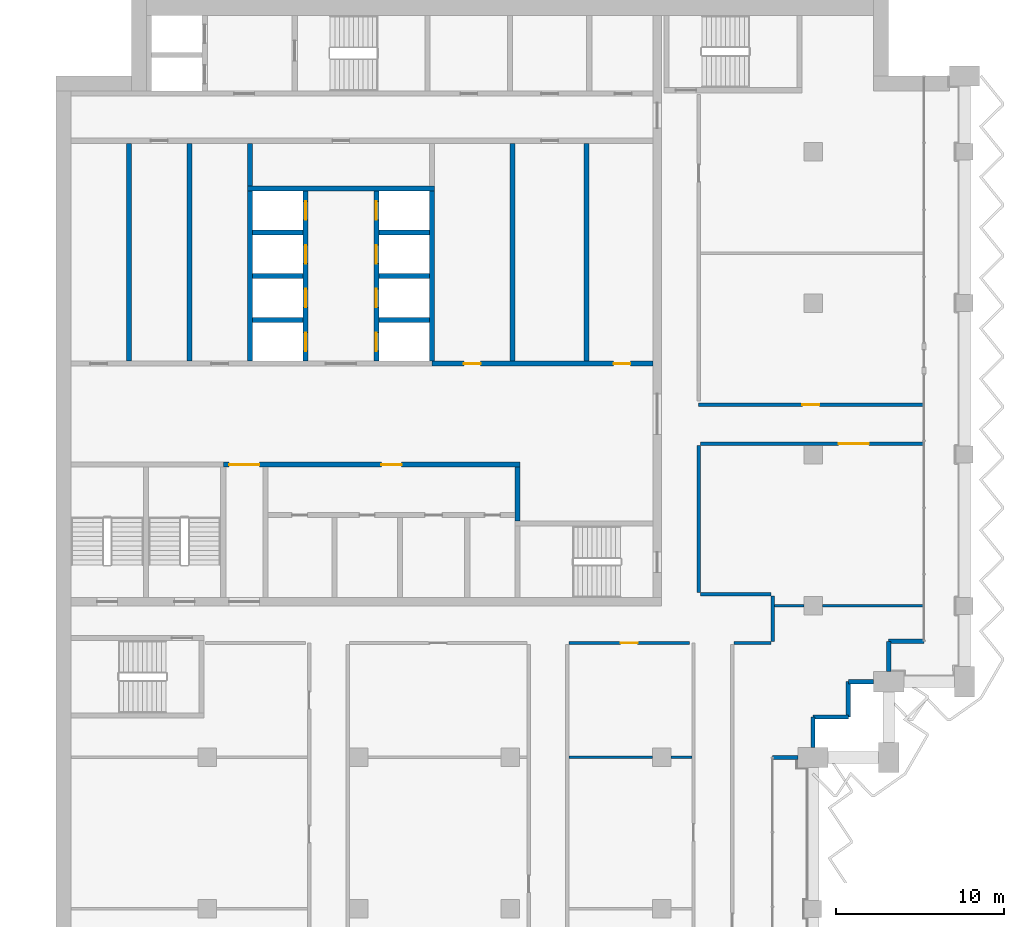
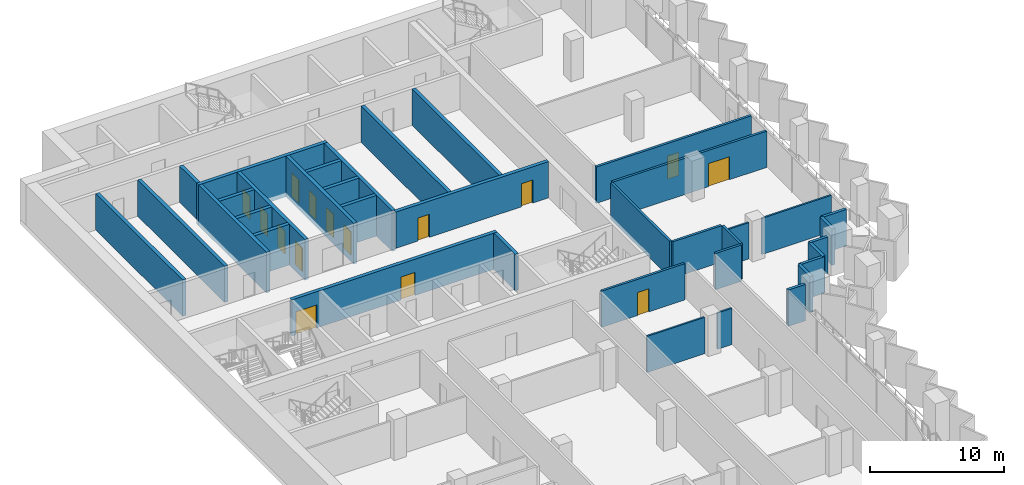
# One storey, part 11 of 19: 37 walls, 15 doors, 15 openings.
"""IFC4 building model written with IfcOpenShell, lengths in metres."""

from ifc_helpers import new_model, si_unit, direction, frame, frame_2d, origin, place, context, subcontext, project, spatial, rectangle, extrude, material, layer, layer_set, type_object, element, fill, save


model = new_model("IFC4")

# Units and contexts
model_context = context("Model", 3, precision=1e-05, world=origin(), true_north=direction((0.0, 1.0)))
body_context = subcontext(model_context, "Body", "Model", "MODEL_VIEW")
ifc_project = project(units=[si_unit("LENGTHUNIT", "METRE"), si_unit("AREAUNIT", "SQUARE_METRE"), si_unit("VOLUMEUNIT", "CUBIC_METRE"), si_unit("PLANEANGLEUNIT", "RADIAN"), si_unit("MASSUNIT", "GRAM", prefix="KILO")], contexts=[model_context])

# Site, building, storey
site_placement = place(None, origin())
site = spatial("IfcSite", under=ifc_project, at=site_placement, CompositionType="ELEMENT")
building_placement = place(site_placement, origin())
building = spatial("IfcBuilding", under=site, at=building_placement, Name="Hunhe Ridgeline Campus", CompositionType="ELEMENT")
storey_placement = place(building_placement, frame((0.0, 0.0, 219.800048828125)))
storey = spatial("IfcBuildingStorey", under=building, at=storey_placement, Name="L56", CompositionType="ELEMENT", Elevation=219.800048828125)

# Wall, openings, doors
ifc_material_1 = material(Name="Masonry concrete blockwork", Category="masonry")
ifc_layer_1 = layer(ifc_material_1, 0.300048828125)
ifc_layer_set_1 = layer_set([ifc_layer_1], Name="Core room partition 300 concrete block")
wall_type_1 = type_object("IfcWallType", Name="Core room partition 300 concrete block", PredefinedType="PARTITIONING", material=ifc_layer_set_1)
wall_1_placement = place(storey_placement, frame((9.949951171875, 71.39990234375, 0.0), z_axis=(0.0, 0.0, 1.0), x_axis=(1.0, 0.0, 0.0)))
wall_1 = element("IfcWall", 1, at=wall_1_placement, inside=storey, type_object=wall_type_1, Name="L56 core partition 11", PredefinedType="PARTITIONING", context=body_context, shape_type="SweptSolid", body=[
    extrude(rectangle(XDim=17.650146484375, YDim=0.300048828125, at=frame_2d((8.8251953125, 0.0))), origin(), (0.0, 0.0, 1.0), 3.300048828125),
])
opening_1_placement = place(wall_1_placement, frame((0.35009765625, 0.0, 0.0)))
opening_1 = element("IfcOpeningElement", 2, at=opening_1_placement, cuts=wall_1, Name="Opening CD7", PredefinedType="OPENING", context=body_context, shape_type="SweptSolid", body=[
    extrude(rectangle(XDim=1.800048828125, YDim=2.10009765625, at=frame_2d((0.89990234375, 1.050048828125))), frame((0.0, 0.14990234375, 0.0), z_axis=(0.0, -1.0, 0.0), x_axis=(1.0, 0.0, 0.0)), (0.0, 0.0, 1.0), 0.300048828125),
])
opening_2_placement = place(wall_1_placement, frame((9.39990234375, 0.0, 0.0)))
opening_2 = element("IfcOpeningElement", 3, at=opening_2_placement, cuts=wall_1, Name="Opening CD12", PredefinedType="OPENING", context=body_context, shape_type="SweptSolid", body=[
    extrude(rectangle(XDim=1.199951171875, YDim=2.10009765625, at=frame_2d((0.60009765625, 1.050048828125))), frame((0.0, 0.14990234375, 0.0), z_axis=(0.0, -1.0, 0.0), x_axis=(1.0, 0.0, 0.0)), (0.0, 0.0, 1.0), 0.300048828125),
])
ifc_material_2 = material(Name="Anodised aluminium and glass", Category="aluminium")
door_type_1 = type_object("IfcDoorType", Name="Glazed double door 1800x2100", OperationType="DOUBLE_DOOR_SINGLE_SWING", PredefinedType="DOOR", material=ifc_material_2)
door_1_placement = place(opening_1_placement, origin())
door_1 = element("IfcDoor", 4, at=door_1_placement, inside=storey, type_object=door_type_1, Name="L56 door VEST-HALL", OperationType="DOUBLE_DOOR_SINGLE_SWING", OverallHeight=2.10009765625, OverallWidth=1.800048828125, PredefinedType="DOOR", context=body_context, shape_type="SweptSolid", body=[
    extrude(rectangle(XDim=1.800048828125, YDim=2.10009765625, at=frame_2d((0.89990234375, 1.050048828125))), frame((0.0, 0.02490234375, 0.0), z_axis=(0.0, -1.0, 0.0), x_axis=(1.0, 0.0, 0.0)), (0.0, 0.0, 1.0), 0.050048828125),
])
fill(opening_1, door_1)
ifc_material_3 = material(Name="Solid core timber door leaf", Category="wood")
door_type_2 = type_object("IfcDoorType", Name="Timber door 1200x2100", OperationType="SINGLE_SWING_LEFT", PredefinedType="DOOR", material=ifc_material_3)
door_2_placement = place(opening_2_placement, origin())
door_2 = element("IfcDoor", 5, at=door_2_placement, inside=storey, type_object=door_type_2, Name="L56 door WCL2-HALL", OperationType="SINGLE_SWING_RIGHT", OverallHeight=2.10009765625, OverallWidth=1.199951171875, PredefinedType="DOOR", context=body_context, shape_type="SweptSolid", body=[
    extrude(rectangle(XDim=1.199951171875, YDim=2.10009765625, at=frame_2d((0.60009765625, 1.050048828125))), frame((0.0, 0.02490234375, 0.0), z_axis=(0.0, -1.0, 0.0), x_axis=(1.0, 0.0, 0.0)), (0.0, 0.0, 1.0), 0.050048828125),
])
fill(opening_2, door_2)

wall_2_placement = place(storey_placement, frame((22.35009765625, 77.39990234375, 0.0), z_axis=(0.0, 0.0, 1.0), x_axis=(1.0, 0.0, 0.0)))
wall_2 = element("IfcWall", 6, at=wall_2_placement, inside=storey, type_object=wall_type_1, Name="L56 core partition 13", PredefinedType="PARTITIONING", context=body_context, shape_type="SweptSolid", body=[
    extrude(rectangle(XDim=13.14990234375, YDim=0.300048828125, at=frame_2d((6.574951171875, 0.0))), origin(), (0.0, 0.0, 1.0), 3.300048828125),
])
opening_3_placement = place(wall_2_placement, frame((1.89990234375, 0.0, 0.0)))
opening_3 = element("IfcOpeningElement", 7, at=opening_3_placement, cuts=wall_2, Name="Opening CD32", PredefinedType="OPENING", context=body_context, shape_type="SweptSolid", body=[
    extrude(rectangle(XDim=1.0, YDim=2.10009765625, at=frame_2d((0.5, 1.050048828125))), frame((0.0, 0.14990234375, 0.0), z_axis=(0.0, -1.0, 0.0), x_axis=(1.0, 0.0, 0.0)), (0.0, 0.0, 1.0), 0.300048828125),
])
opening_4_placement = place(wall_2_placement, frame((10.800048828125, 0.0, 0.0)))
opening_4 = element("IfcOpeningElement", 8, at=opening_4_placement, cuts=wall_2, Name="Opening CD42", PredefinedType="OPENING", context=body_context, shape_type="SweptSolid", body=[
    extrude(rectangle(XDim=1.0, YDim=2.10009765625, at=frame_2d((0.5, 1.050048828125))), frame((0.0, 0.14990234375, 0.0), z_axis=(0.0, -1.0, 0.0), x_axis=(1.0, 0.0, 0.0)), (0.0, 0.0, 1.0), 0.300048828125),
])
door_type_3 = type_object("IfcDoorType", Name="Timber door 1000x2100", OperationType="SINGLE_SWING_LEFT", PredefinedType="DOOR", material=ifc_material_3)
door_3_placement = place(opening_3_placement, origin())
door_3 = element("IfcDoor", 9, at=door_3_placement, inside=storey, type_object=door_type_3, Name="L56 door ES0", OperationType="SINGLE_SWING_LEFT", OverallHeight=2.10009765625, OverallWidth=1.0, PredefinedType="DOOR", context=body_context, shape_type="SweptSolid", body=[
    extrude(rectangle(XDim=1.0, YDim=2.10009765625, at=frame_2d((0.5, 1.050048828125))), frame((0.0, 0.02490234375, 0.0), z_axis=(0.0, -1.0, 0.0), x_axis=(1.0, 0.0, 0.0)), (0.0, 0.0, 1.0), 0.050048828125),
])
fill(opening_3, door_3)
door_4_placement = place(opening_4_placement, origin())
door_4 = element("IfcDoor", 10, at=door_4_placement, inside=storey, type_object=door_type_3, Name="L56 door ES2", OperationType="SINGLE_SWING_LEFT", OverallHeight=2.10009765625, OverallWidth=1.0, PredefinedType="DOOR", context=body_context, shape_type="SweptSolid", body=[
    extrude(rectangle(XDim=1.0, YDim=2.10009765625, at=frame_2d((0.5, 1.050048828125))), frame((0.0, 0.02490234375, 0.0), z_axis=(0.0, -1.0, 0.0), x_axis=(1.0, 0.0, 0.0)), (0.0, 0.0, 1.0), 0.050048828125),
])
fill(opening_4, door_4)

# Walls
for number, where, z_axis, x_axis, name in (
    (11, (4.35009765625, 77.550048828125, 0.0), (0.0, 0.0, 1.0), (0.0, 1.0, 0.0), "L56 core partition 25"),
    (12, (7.949951171875, 77.550048828125, 0.0), (0.0, 0.0, 1.0), (0.0, 1.0, 0.0), "L56 core partition 28"),
):
    element("IfcWall", number, at=place(storey_placement, frame(where, z_axis=z_axis, x_axis=x_axis)), inside=storey, type_object=wall_type_1, Name=name, PredefinedType="PARTITIONING", context=body_context, shape_type="SweptSolid", body=[
        extrude(rectangle(XDim=12.949951171875, YDim=0.300048828125, at=frame_2d((6.47509765625, 0.0))), origin(), (0.0, 0.0, 1.0), 3.300048828125),
    ])
wall_3_placement = place(storey_placement, frame((11.550048828125, 87.949951171875, 0.0), z_axis=(0.0, 0.0, 1.0), x_axis=(0.0, 1.0, 0.0)))
element("IfcWall", 13, at=wall_3_placement, inside=storey, type_object=wall_type_1, Name="L56 core partition 34", PredefinedType="PARTITIONING", context=body_context, shape_type="SweptSolid", body=[
    extrude(rectangle(XDim=2.550048828125, YDim=0.300048828125, at=frame_2d((1.27490234375, 0.0))), origin(), (0.0, 0.0, 1.0), 3.300048828125),
])
wall_4_placement = place(storey_placement, frame((27.14990234375, 77.550048828125, 0.0), z_axis=(0.0, 0.0, 1.0), x_axis=(0.0, 1.0, 0.0)))
element("IfcWall", 14, at=wall_4_placement, inside=storey, type_object=wall_type_1, Name="L56 core partition 48", PredefinedType="PARTITIONING", context=body_context, shape_type="SweptSolid", body=[
    extrude(rectangle(XDim=12.949951171875, YDim=0.300048828125, at=frame_2d((6.47509765625, 0.0))), origin(), (0.0, 0.0, 1.0), 3.300048828125),
])
wall_5_placement = place(storey_placement, frame((27.449951171875, 68.050048828125, 0.0), z_axis=(0.0, 0.0, 1.0), x_axis=(0.0, 1.0, 0.0)))
element("IfcWall", 15, at=wall_5_placement, inside=storey, type_object=wall_type_1, Name="L56 core partition 50", PredefinedType="PARTITIONING", context=body_context, shape_type="SweptSolid", body=[
    extrude(rectangle(XDim=3.199951171875, YDim=0.300048828125, at=frame_2d((1.60009765625, 0.0))), origin(), (0.0, 0.0, 1.0), 3.300048828125),
])
wall_6_placement = place(storey_placement, frame((31.550048828125, 77.550048828125, 0.0), z_axis=(0.0, 0.0, 1.0), x_axis=(0.0, 1.0, 0.0)))
element("IfcWall", 16, at=wall_6_placement, inside=storey, type_object=wall_type_1, Name="L56 core partition 51", PredefinedType="PARTITIONING", context=body_context, shape_type="SweptSolid", body=[
    extrude(rectangle(XDim=12.949951171875, YDim=0.300048828125, at=frame_2d((6.47509765625, 0.0))), origin(), (0.0, 0.0, 1.0), 3.300048828125),
])
ifc_material_4 = material(Name="Concrete C30", Category="concrete")
ifc_layer_2 = layer(ifc_material_4, 0.25)
ifc_layer_set_2 = layer_set([ifc_layer_2], Name="Corner return wall 250 Concrete C30")
wall_type_2 = type_object("IfcWallType", Name="Corner return wall 250 Concrete C30", PredefinedType="SOLIDWALL", material=ifc_layer_set_2)
wall_7_placement = place(storey_placement, frame((42.59912109375, 54.00048828125, 0.0), z_axis=(0.0, 0.0, 1.0), x_axis=(0.999999986772, 0.00016265452, 0.0)))
element("IfcWall", 17, at=wall_7_placement, inside=storey, type_object=wall_type_2, Name="Corner return wall 2", PredefinedType="SOLIDWALL", context=body_context, shape_type="SweptSolid", body=[
    extrude(rectangle(XDim=1.5009765625, YDim=0.25, at=frame_2d((0.75048828125, 0.0))), origin(), (0.0, 0.0, 1.0), 3.300048828125),
])
wall_8_placement = place(storey_placement, frame((44.9990234375, 54.60009765625, 0.0), z_axis=(0.0, 0.0, 1.0), x_axis=(0.000135593219, 0.999999990807, 0.0)))
element("IfcWall", 18, at=wall_8_placement, inside=storey, type_object=wall_type_2, Name="Corner return wall 3", PredefinedType="SOLIDWALL", context=body_context, shape_type="SweptSolid", body=[
    extrude(rectangle(XDim=1.800537109375, YDim=0.25, at=frame_2d((0.900390625, 0.0))), origin(), (0.0, 0.0, 1.0), 3.300048828125),
])
wall_9_placement = place(storey_placement, frame((44.999267578125, 56.400634765625, 0.0), z_axis=(0.0, 0.0, 1.0), x_axis=(0.999999993241, 0.00011626555, 0.0)))
element("IfcWall", 19, at=wall_9_placement, inside=storey, type_object=wall_type_2, Name="Corner return wall 4", PredefinedType="SOLIDWALL", context=body_context, shape_type="SweptSolid", body=[
    extrude(rectangle(XDim=2.099853515625, YDim=0.25, at=frame_2d((1.0498046875, 0.0))), origin(), (0.0, 0.0, 1.0), 3.300048828125),
])
wall_10_placement = place(storey_placement, frame((47.09912109375, 56.40087890625, 0.0), z_axis=(0.0, 0.0, 1.0), x_axis=(0.000232504063, 0.999999972971, 0.0)))
element("IfcWall", 20, at=wall_10_placement, inside=storey, type_object=wall_type_2, Name="Corner return wall 5", PredefinedType="SOLIDWALL", context=body_context, shape_type="SweptSolid", body=[
    extrude(rectangle(XDim=2.10009765625, YDim=0.25, at=frame_2d((1.050048828125, 0.0))), origin(), (0.0, 0.0, 1.0), 3.300048828125),
])
wall_11_placement = place(storey_placement, frame((47.099609375, 58.5009765625, 0.0), z_axis=(0.0, 0.0, 1.0), x_axis=(1.0, 0.0, 0.0)))
element("IfcWall", 21, at=wall_11_placement, inside=storey, type_object=wall_type_2, Name="Corner return wall 6", PredefinedType="SOLIDWALL", context=body_context, shape_type="SweptSolid", body=[
    extrude(rectangle(XDim=1.50048828125, YDim=0.25, at=frame_2d((0.750244140625, 0.0))), origin(), (0.0, 0.0, 1.0), 3.300048828125),
])
wall_12_placement = place(storey_placement, frame((49.4990234375, 59.10009765625, 0.0), z_axis=(0.0, 0.0, 1.0), x_axis=(0.000271149665, 0.999999963239, 0.0)))
element("IfcWall", 22, at=wall_12_placement, inside=storey, type_object=wall_type_2, Name="Corner return wall 7", PredefinedType="SOLIDWALL", context=body_context, shape_type="SweptSolid", body=[
    extrude(rectangle(XDim=1.80078125, YDim=0.25, at=frame_2d((0.900390625, 0.0))), origin(), (0.0, 0.0, 1.0), 3.300048828125),
])
wall_13_placement = place(storey_placement, frame((49.49951171875, 60.90087890625, 0.0), z_axis=(0.0, 0.0, 1.0), x_axis=(1.0, 0.0, 0.0)))
element("IfcWall", 23, at=wall_13_placement, inside=storey, type_object=wall_type_2, Name="Corner return wall 8", PredefinedType="SOLIDWALL", context=body_context, shape_type="SweptSolid", body=[
    extrude(rectangle(XDim=2.099609375, YDim=0.25, at=frame_2d((1.0498046875, 0.0))), origin(), (0.0, 0.0, 1.0), 3.300048828125),
])

# Wall, opening, door
ifc_material_5 = material(Name="Gypsum board partition")
ifc_layer_3 = layer(ifc_material_5, 0.199951171875)
ifc_layer_set_3 = layer_set([ifc_layer_3], Name="Corridor partition 200 gypsum board on steel studs")
wall_type_3 = type_object("IfcWallType", Name="Corridor partition 200 gypsum board on steel studs", PredefinedType="PARTITIONING", material=ifc_layer_set_3)
wall_14_placement = place(storey_placement, frame((37.644775390625, 60.800048828125, 0.0), z_axis=(0.0, 0.0, 1.0), x_axis=(-1.0, 0.0, 0.0)))
wall_14 = element("IfcWall", 24, at=wall_14_placement, inside=storey, type_object=wall_type_3, Name="F-L56-wall-030", PredefinedType="PARTITIONING", context=body_context, shape_type="SweptSolid", body=[
    extrude(rectangle(XDim=7.144775390625, YDim=0.199951171875, at=frame_2d((3.572265625, 0.0))), origin(), (0.0, 0.0, 1.0), 3.300048828125),
])
opening_5_placement = place(wall_14_placement, frame((3.072509765625, 0.0, 0.0)))
opening_5 = element("IfcOpeningElement", 25, at=opening_5_placement, cuts=wall_14, Name="Opening RD1-017", PredefinedType="OPENING", context=body_context, shape_type="SweptSolid", body=[
    extrude(rectangle(XDim=1.0, YDim=2.10009765625, at=frame_2d((0.5, 1.050048828125))), frame((0.0, 0.10009765625, 0.0), z_axis=(0.0, -1.0, 0.0), x_axis=(1.0, 0.0, 0.0)), (0.0, 0.0, 1.0), 0.199951171875),
])
ifc_material_6 = material(Name="Timber door leaf", Category="wood")
door_type_4 = type_object("IfcDoorType", Name="Single fire door 1000x2100 timber FD60", OperationType="NOTDEFINED", PredefinedType="DOOR", material=ifc_material_6)
door_5_placement = place(opening_5_placement, origin())
door_5 = element("IfcDoor", 26, at=door_5_placement, inside=storey, type_object=door_type_4, Name="F-L56-door-017", OperationType="SINGLE_SWING_LEFT", OverallHeight=2.10009765625, OverallWidth=1.0, PredefinedType="DOOR", context=body_context, shape_type="SweptSolid", body=[
    extrude(rectangle(XDim=1.0, YDim=2.10009765625, at=frame_2d((0.5, 1.050048828125))), frame((0.0, 0.02490234375, 0.0), z_axis=(0.0, -1.0, 0.0), x_axis=(1.0, 0.0, 0.0)), (0.0, 0.0, 1.0), 0.050048828125),
])
fill(opening_5, door_5)

# Walls
wall_15_placement = place(storey_placement, frame((42.5, 60.800048828125, 0.0), z_axis=(0.0, 0.0, 1.0), x_axis=(-1.0, 0.0, 0.0)))
element("IfcWall", 27, at=wall_15_placement, inside=storey, type_object=wall_type_3, Name="F-L56-wall-031", PredefinedType="PARTITIONING", context=body_context, shape_type="SweptSolid", body=[
    extrude(rectangle(XDim=2.199951171875, YDim=0.199951171875, at=frame_2d((1.10009765625, 0.0))), origin(), (0.0, 0.0, 1.0), 3.300048828125),
])
wall_16_placement = place(storey_placement, frame((38.300048828125, 63.699951171875, 0.0), z_axis=(0.0, 0.0, 1.0), x_axis=(1.0, 0.0, 0.0)))
element("IfcWall", 28, at=wall_16_placement, inside=storey, type_object=wall_type_3, Name="F-L56-wall-034", PredefinedType="PARTITIONING", context=body_context, shape_type="SweptSolid", body=[
    extrude(rectangle(XDim=4.199951171875, YDim=0.199951171875, at=frame_2d((2.10009765625, 0.0))), origin(), (0.0, 0.0, 1.0), 3.300048828125),
])

# Wall, opening, door
wall_17_placement = place(storey_placement, frame((51.544921875, 72.64990234375, 0.0), z_axis=(0.0, 0.0, 1.0), x_axis=(-1.0, 0.0, 0.0)))
wall_17 = element("IfcWall", 29, at=wall_17_placement, inside=storey, type_object=wall_type_3, Name="F-L56-wall-035", PredefinedType="PARTITIONING", context=body_context, shape_type="SweptSolid", body=[
    extrude(rectangle(XDim=13.244873046875, YDim=0.199951171875, at=frame_2d((6.62255859375, 0.0))), origin(), (0.0, 0.0, 1.0), 3.300048828125),
])
opening_6_placement = place(wall_17_placement, frame((3.222412109375, 0.0, 0.0)))
opening_6 = element("IfcOpeningElement", 30, at=opening_6_placement, cuts=wall_17, Name="Opening RD2-018", PredefinedType="OPENING", context=body_context, shape_type="SweptSolid", body=[
    extrude(rectangle(XDim=1.800048828125, YDim=2.10009765625, at=frame_2d((0.89990234375, 1.050048828125))), frame((0.0, 0.10009765625, 0.0), z_axis=(0.0, -1.0, 0.0), x_axis=(1.0, 0.0, 0.0)), (0.0, 0.0, 1.0), 0.199951171875),
])
door_type_5 = type_object("IfcDoorType", Name="Double fire door 1800x2100 timber FD60", OperationType="DOUBLE_DOOR_SINGLE_SWING", PredefinedType="DOOR", material=ifc_material_6)
door_6_placement = place(opening_6_placement, origin())
door_6 = element("IfcDoor", 31, at=door_6_placement, inside=storey, type_object=door_type_5, Name="F-L56-door-018", OperationType="DOUBLE_DOOR_SINGLE_SWING", OverallHeight=2.10009765625, OverallWidth=1.800048828125, PredefinedType="DOOR", context=body_context, shape_type="SweptSolid", body=[
    extrude(rectangle(XDim=1.800048828125, YDim=2.10009765625, at=frame_2d((0.89990234375, 1.050048828125))), frame((0.0, 0.02490234375, 0.0), z_axis=(0.0, -1.0, 0.0), x_axis=(1.0, 0.0, 0.0)), (0.0, 0.0, 1.0), 0.050048828125),
])
fill(opening_6, door_6)

wall_18_placement = place(storey_placement, frame((38.199951171875, 74.949951171875, 0.0), z_axis=(0.0, 0.0, 1.0), x_axis=(1.0, 0.0, 0.0)))
wall_18 = element("IfcWall", 32, at=wall_18_placement, inside=storey, type_object=wall_type_3, Name="F-L56-wall-036", PredefinedType="PARTITIONING", context=body_context, shape_type="SweptSolid", body=[
    extrude(rectangle(XDim=13.344970703125, YDim=0.199951171875, at=frame_2d((6.67236328125, 0.0))), origin(), (0.0, 0.0, 1.0), 3.300048828125),
])
opening_7_placement = place(wall_18_placement, frame((6.172607421875, 0.0, 0.0)))
opening_7 = element("IfcOpeningElement", 33, at=opening_7_placement, cuts=wall_18, Name="Opening RD1-019", PredefinedType="OPENING", context=body_context, shape_type="SweptSolid", body=[
    extrude(rectangle(XDim=1.0, YDim=2.10009765625, at=frame_2d((0.5, 1.050048828125))), frame((0.0, 0.10009765625, 0.0), z_axis=(0.0, -1.0, 0.0), x_axis=(1.0, 0.0, 0.0)), (0.0, 0.0, 1.0), 0.199951171875),
])
door_7_placement = place(opening_7_placement, origin())
door_7 = element("IfcDoor", 34, at=door_7_placement, inside=storey, type_object=door_type_4, Name="F-L56-door-019", OperationType="SINGLE_SWING_LEFT", OverallHeight=2.10009765625, OverallWidth=1.0, PredefinedType="DOOR", context=body_context, shape_type="SweptSolid", body=[
    extrude(rectangle(XDim=1.0, YDim=2.10009765625, at=frame_2d((0.5, 1.050048828125))), frame((0.0, 0.02490234375, 0.0), z_axis=(0.0, -1.0, 0.0), x_axis=(1.0, 0.0, 0.0)), (0.0, 0.0, 1.0), 0.050048828125),
])
fill(opening_7, door_7)

# Walls
wall_19_placement = place(storey_placement, frame((38.199951171875, 72.550048828125, 0.0), z_axis=(0.0, 0.0, 1.0), x_axis=(0.0, -1.0, 0.0)))
element("IfcWall", 35, at=wall_19_placement, inside=storey, type_object=wall_type_3, Name="F-L56-wall-047", PredefinedType="PARTITIONING", context=body_context, shape_type="SweptSolid", body=[
    extrude(rectangle(XDim=8.75, YDim=0.199951171875, at=frame_2d((4.375, 0.0))), origin(), (0.0, 0.0, 1.0), 3.300048828125),
])
wall_20_placement = place(storey_placement, frame((42.60009765625, 63.60009765625, 0.0), z_axis=(0.0, 0.0, 1.0), x_axis=(0.0, -1.0, 0.0)))
element("IfcWall", 36, at=wall_20_placement, inside=storey, type_object=wall_type_3, Name="F-L56-wall-050", PredefinedType="PARTITIONING", context=body_context, shape_type="SweptSolid", body=[
    extrude(rectangle(XDim=2.7001953125, YDim=0.199951171875, at=frame_2d((1.35009765625, 0.0))), origin(), (0.0, 0.0, 1.0), 3.300048828125),
])
ifc_layer_4 = layer(ifc_material_5, 0.14990234375)
ifc_layer_set_4 = layer_set([ifc_layer_4], Name="Room partition 150 gypsum board on steel studs")
wall_type_4 = type_object("IfcWallType", Name="Room partition 150 gypsum board on steel studs", PredefinedType="PARTITIONING", material=ifc_layer_set_4)
wall_21_placement = place(storey_placement, frame((30.5, 54.0, 0.0), z_axis=(0.0, 0.0, 1.0), x_axis=(1.0, 0.0, 0.0)))
element("IfcWall", 37, at=wall_21_placement, inside=storey, type_object=wall_type_4, Name="F-L56-wall-026", PredefinedType="PARTITIONING", context=body_context, shape_type="SweptSolid", body=[
    extrude(rectangle(XDim=4.949951171875, YDim=0.14990234375, at=frame_2d((2.47509765625, 0.0))), origin(), (0.0, 0.0, 1.0), 3.300048828125),
])
wall_22_placement = place(storey_placement, frame((36.550048828125, 54.0, 0.0), z_axis=(0.0, 0.0, 1.0), x_axis=(1.0, 0.0, 0.0)))
element("IfcWall", 38, at=wall_22_placement, inside=storey, type_object=wall_type_4, Name="F-L56-wall-027", PredefinedType="PARTITIONING", context=body_context, shape_type="SweptSolid", body=[
    extrude(rectangle(XDim=1.25, YDim=0.14990234375, at=frame_2d((0.625, 0.0))), origin(), (0.0, 0.0, 1.0), 3.300048828125),
])
wall_23_placement = place(storey_placement, frame((42.699951171875, 63.0, 0.0), z_axis=(0.0, 0.0, 1.0), x_axis=(1.0, 0.0, 0.0)))
element("IfcWall", 39, at=wall_23_placement, inside=storey, type_object=wall_type_4, Name="F-L56-wall-032", PredefinedType="PARTITIONING", context=body_context, shape_type="SweptSolid", body=[
    extrude(rectangle(XDim=1.75, YDim=0.14990234375, at=frame_2d((0.875, 0.0))), origin(), (0.0, 0.0, 1.0), 3.300048828125),
])
wall_24_placement = place(storey_placement, frame((45.550048828125, 63.0, 0.0), z_axis=(0.0, 0.0, 1.0), x_axis=(1.0, 0.0, 0.0)))
element("IfcWall", 40, at=wall_24_placement, inside=storey, type_object=wall_type_4, Name="F-L56-wall-033", PredefinedType="PARTITIONING", context=body_context, shape_type="SweptSolid", body=[
    extrude(rectangle(XDim=5.994873046875, YDim=0.14990234375, at=frame_2d((2.99755859375, 0.0))), origin(), (0.0, 0.0, 1.0), 3.300048828125),
])
ifc_material_7 = material(Name="Concrete C60", Category="concrete")
ifc_layer_5 = layer(ifc_material_7, 0.300048828125)
ifc_layer_set_5 = layer_set([ifc_layer_5], Name="Shaft wall 300 reinforced concrete C60")
wall_type_5 = type_object("IfcWallType", Name="Shaft wall 300 reinforced concrete C60", PredefinedType="SOLIDWALL", material=ifc_layer_set_5)
for number, where, z_axis, x_axis, name in (
    (41, (11.699951171875, 80.0, -0.400146484375), (0.0, 0.0, 1.0), (1.0, 0.0, 0.0), "L56 core wall 14"),
    (42, (19.199951171875, 80.0, -0.400146484375), (0.0, 0.0, 1.0), (1.0, 0.0, 0.0), "L56 core wall 15"),
    (43, (11.699951171875, 82.60009765625, -0.400146484375), (0.0, 0.0, 1.0), (1.0, 0.0, 0.0), "L56 core wall 16"),
    (44, (19.199951171875, 82.60009765625, -0.400146484375), (0.0, 0.0, 1.0), (1.0, 0.0, 0.0), "L56 core wall 17"),
    (45, (11.699951171875, 85.199951171875, -0.400146484375), (0.0, 0.0, 1.0), (1.0, 0.0, 0.0), "L56 core wall 18"),
    (46, (19.199951171875, 85.199951171875, -0.400146484375), (0.0, 0.0, 1.0), (1.0, 0.0, 0.0), "L56 core wall 19"),
):
    element("IfcWall", number, at=place(storey_placement, frame(where, z_axis=z_axis, x_axis=x_axis)), inside=storey, type_object=wall_type_5, Name=name, PredefinedType="SOLIDWALL", context=body_context, shape_type="SweptSolid", body=[
        extrude(rectangle(XDim=3.0, YDim=0.300048828125, at=frame_2d((1.5, 0.0))), origin(), (0.0, 0.0, 1.0), 3.7001953125),
    ])
wall_25_placement = place(storey_placement, frame((11.39990234375, 87.800048828125, -0.400146484375), z_axis=(0.0, 0.0, 1.0), x_axis=(1.0, 0.0, 0.0)))
element("IfcWall", 47, at=wall_25_placement, inside=storey, type_object=wall_type_5, Name="L56 core wall 20", PredefinedType="SOLIDWALL", context=body_context, shape_type="SweptSolid", body=[
    extrude(rectangle(XDim=11.10009765625, YDim=0.300048828125, at=frame_2d((5.550048828125, 0.0))), origin(), (0.0, 0.0, 1.0), 3.7001953125),
])
wall_26_placement = place(storey_placement, frame((11.550048828125, 77.550048828125, -0.400146484375), z_axis=(0.0, 0.0, 1.0), x_axis=(0.0, 1.0, 0.0)))
element("IfcWall", 48, at=wall_26_placement, inside=storey, type_object=wall_type_5, Name="L56 core wall 33", PredefinedType="SOLIDWALL", context=body_context, shape_type="SweptSolid", body=[
    extrude(rectangle(XDim=10.099853515625, YDim=0.300048828125, at=frame_2d((5.0498046875, 0.0))), origin(), (0.0, 0.0, 1.0), 3.7001953125),
])

# Wall, openings, doors
wall_27_placement = place(storey_placement, frame((14.85009765625, 77.550048828125, -0.400146484375), z_axis=(0.0, 0.0, 1.0), x_axis=(0.0, 1.0, 0.0)))
wall_27 = element("IfcWall", 49, at=wall_27_placement, inside=storey, type_object=wall_type_5, Name="L56 core wall 37", PredefinedType="SOLIDWALL", context=body_context, shape_type="SweptSolid", body=[
    extrude(rectangle(XDim=10.099853515625, YDim=0.300048828125, at=frame_2d((5.0498046875, 0.0))), origin(), (0.0, 0.0, 1.0), 3.7001953125),
])
opening_8_placement = place(wall_27_placement, frame((0.60009765625, 0.0, 0.39990234375)))
opening_8 = element("IfcOpeningElement", 50, at=opening_8_placement, cuts=wall_27, Name="Opening LD-HR1", PredefinedType="OPENING", context=body_context, shape_type="SweptSolid", body=[
    extrude(rectangle(XDim=1.10009765625, YDim=2.10009765625, at=frame_2d((0.550048828125, 1.050048828125))), frame((0.0, 0.14990234375, 0.0), z_axis=(0.0, -1.0, 0.0), x_axis=(1.0, 0.0, 0.0)), (0.0, 0.0, 1.0), 0.300048828125),
])
opening_9_placement = place(wall_27_placement, frame((3.199951171875, 0.0, 0.39990234375)))
opening_9 = element("IfcOpeningElement", 51, at=opening_9_placement, cuts=wall_27, Name="Opening LD-HR2", PredefinedType="OPENING", context=body_context, shape_type="SweptSolid", body=[
    extrude(rectangle(XDim=1.10009765625, YDim=2.10009765625, at=frame_2d((0.550048828125, 1.050048828125))), frame((0.0, 0.14990234375, 0.0), z_axis=(0.0, -1.0, 0.0), x_axis=(1.0, 0.0, 0.0)), (0.0, 0.0, 1.0), 0.300048828125),
])
opening_10_placement = place(wall_27_placement, frame((5.800048828125, 0.0, 0.39990234375)))
opening_10 = element("IfcOpeningElement", 52, at=opening_10_placement, cuts=wall_27, Name="Opening LD-HR3", PredefinedType="OPENING", context=body_context, shape_type="SweptSolid", body=[
    extrude(rectangle(XDim=1.10009765625, YDim=2.10009765625, at=frame_2d((0.550048828125, 1.050048828125))), frame((0.0, 0.14990234375, 0.0), z_axis=(0.0, -1.0, 0.0), x_axis=(1.0, 0.0, 0.0)), (0.0, 0.0, 1.0), 0.300048828125),
])
opening_11_placement = place(wall_27_placement, frame((8.39990234375, 0.0, 0.39990234375)))
opening_11 = element("IfcOpeningElement", 53, at=opening_11_placement, cuts=wall_27, Name="Opening LD-HR4", PredefinedType="OPENING", context=body_context, shape_type="SweptSolid", body=[
    extrude(rectangle(XDim=1.10009765625, YDim=2.10009765625, at=frame_2d((0.550048828125, 1.050048828125))), frame((0.0, 0.14990234375, 0.0), z_axis=(0.0, -1.0, 0.0), x_axis=(1.0, 0.0, 0.0)), (0.0, 0.0, 1.0), 0.300048828125),
])
ifc_material_8 = material(Name="Stainless steel sliding leaves", Category="steel")
door_type_6 = type_object("IfcDoorType", Name="Landing door 1100x2100 FD120", OperationType="SLIDING_TO_LEFT", PredefinedType="DOOR", material=ifc_material_8)
door_8_placement = place(opening_8_placement, origin())
door_8 = element("IfcDoor", 54, at=door_8_placement, inside=storey, type_object=door_type_6, Name="L56 landing door HR1", OperationType="SLIDING_TO_RIGHT", OverallHeight=2.10009765625, OverallWidth=1.10009765625, PredefinedType="DOOR", context=body_context, shape_type="SweptSolid", body=[
    extrude(rectangle(XDim=1.10009765625, YDim=2.10009765625, at=frame_2d((0.550048828125, 1.050048828125))), frame((0.0, 0.02490234375, 0.0), z_axis=(0.0, -1.0, 0.0), x_axis=(1.0, 0.0, 0.0)), (0.0, 0.0, 1.0), 0.050048828125),
])
fill(opening_8, door_8)
door_9_placement = place(opening_9_placement, origin())
door_9 = element("IfcDoor", 55, at=door_9_placement, inside=storey, type_object=door_type_6, Name="L56 landing door HR2", OperationType="SLIDING_TO_LEFT", OverallHeight=2.10009765625, OverallWidth=1.10009765625, PredefinedType="DOOR", context=body_context, shape_type="SweptSolid", body=[
    extrude(rectangle(XDim=1.10009765625, YDim=2.10009765625, at=frame_2d((0.550048828125, 1.050048828125))), frame((0.0, 0.02490234375, 0.0), z_axis=(0.0, -1.0, 0.0), x_axis=(1.0, 0.0, 0.0)), (0.0, 0.0, 1.0), 0.050048828125),
])
fill(opening_9, door_9)
door_10_placement = place(opening_10_placement, origin())
door_10 = element("IfcDoor", 56, at=door_10_placement, inside=storey, type_object=door_type_6, Name="L56 landing door HR3", OperationType="SLIDING_TO_RIGHT", OverallHeight=2.10009765625, OverallWidth=1.10009765625, PredefinedType="DOOR", context=body_context, shape_type="SweptSolid", body=[
    extrude(rectangle(XDim=1.10009765625, YDim=2.10009765625, at=frame_2d((0.550048828125, 1.050048828125))), frame((0.0, 0.02490234375, 0.0), z_axis=(0.0, -1.0, 0.0), x_axis=(1.0, 0.0, 0.0)), (0.0, 0.0, 1.0), 0.050048828125),
])
fill(opening_10, door_10)
door_11_placement = place(opening_11_placement, origin())
door_11 = element("IfcDoor", 57, at=door_11_placement, inside=storey, type_object=door_type_6, Name="L56 landing door HR4", OperationType="SLIDING_TO_LEFT", OverallHeight=2.10009765625, OverallWidth=1.10009765625, PredefinedType="DOOR", context=body_context, shape_type="SweptSolid", body=[
    extrude(rectangle(XDim=1.10009765625, YDim=2.10009765625, at=frame_2d((0.550048828125, 1.050048828125))), frame((0.0, 0.02490234375, 0.0), z_axis=(0.0, -1.0, 0.0), x_axis=(1.0, 0.0, 0.0)), (0.0, 0.0, 1.0), 0.050048828125),
])
fill(opening_11, door_11)

wall_28_placement = place(storey_placement, frame((19.050048828125, 77.550048828125, -0.400146484375), z_axis=(0.0, 0.0, 1.0), x_axis=(0.0, 1.0, 0.0)))
wall_28 = element("IfcWall", 58, at=wall_28_placement, inside=storey, type_object=wall_type_5, Name="L56 core wall 39", PredefinedType="SOLIDWALL", context=body_context, shape_type="SweptSolid", body=[
    extrude(rectangle(XDim=10.099853515625, YDim=0.300048828125, at=frame_2d((5.0498046875, 0.0))), origin(), (0.0, 0.0, 1.0), 3.7001953125),
])
opening_12_placement = place(wall_28_placement, frame((0.60009765625, 0.0, 0.39990234375)))
opening_12 = element("IfcOpeningElement", 59, at=opening_12_placement, cuts=wall_28, Name="Opening LD-HR5", PredefinedType="OPENING", context=body_context, shape_type="SweptSolid", body=[
    extrude(rectangle(XDim=1.10009765625, YDim=2.10009765625, at=frame_2d((0.550048828125, 1.050048828125))), frame((0.0, 0.14990234375, 0.0), z_axis=(0.0, -1.0, 0.0), x_axis=(1.0, 0.0, 0.0)), (0.0, 0.0, 1.0), 0.300048828125),
])
opening_13_placement = place(wall_28_placement, frame((3.199951171875, 0.0, 0.39990234375)))
opening_13 = element("IfcOpeningElement", 60, at=opening_13_placement, cuts=wall_28, Name="Opening LD-HR6", PredefinedType="OPENING", context=body_context, shape_type="SweptSolid", body=[
    extrude(rectangle(XDim=1.10009765625, YDim=2.10009765625, at=frame_2d((0.550048828125, 1.050048828125))), frame((0.0, 0.14990234375, 0.0), z_axis=(0.0, -1.0, 0.0), x_axis=(1.0, 0.0, 0.0)), (0.0, 0.0, 1.0), 0.300048828125),
])
opening_14_placement = place(wall_28_placement, frame((5.800048828125, 0.0, 0.39990234375)))
opening_14 = element("IfcOpeningElement", 61, at=opening_14_placement, cuts=wall_28, Name="Opening LD-HR7", PredefinedType="OPENING", context=body_context, shape_type="SweptSolid", body=[
    extrude(rectangle(XDim=1.10009765625, YDim=2.10009765625, at=frame_2d((0.550048828125, 1.050048828125))), frame((0.0, 0.14990234375, 0.0), z_axis=(0.0, -1.0, 0.0), x_axis=(1.0, 0.0, 0.0)), (0.0, 0.0, 1.0), 0.300048828125),
])
opening_15_placement = place(wall_28_placement, frame((8.39990234375, 0.0, 0.39990234375)))
opening_15 = element("IfcOpeningElement", 62, at=opening_15_placement, cuts=wall_28, Name="Opening LD-HR8", PredefinedType="OPENING", context=body_context, shape_type="SweptSolid", body=[
    extrude(rectangle(XDim=1.10009765625, YDim=2.10009765625, at=frame_2d((0.550048828125, 1.050048828125))), frame((0.0, 0.14990234375, 0.0), z_axis=(0.0, -1.0, 0.0), x_axis=(1.0, 0.0, 0.0)), (0.0, 0.0, 1.0), 0.300048828125),
])
door_12_placement = place(opening_12_placement, origin())
door_12 = element("IfcDoor", 63, at=door_12_placement, inside=storey, type_object=door_type_6, Name="L56 landing door HR5", OperationType="SLIDING_TO_RIGHT", OverallHeight=2.10009765625, OverallWidth=1.10009765625, PredefinedType="DOOR", context=body_context, shape_type="SweptSolid", body=[
    extrude(rectangle(XDim=1.10009765625, YDim=2.10009765625, at=frame_2d((0.550048828125, 1.050048828125))), frame((0.0, 0.02490234375, 0.0), z_axis=(0.0, -1.0, 0.0), x_axis=(1.0, 0.0, 0.0)), (0.0, 0.0, 1.0), 0.050048828125),
])
fill(opening_12, door_12)
door_13_placement = place(opening_13_placement, origin())
door_13 = element("IfcDoor", 64, at=door_13_placement, inside=storey, type_object=door_type_6, Name="L56 landing door HR6", OperationType="SLIDING_TO_LEFT", OverallHeight=2.10009765625, OverallWidth=1.10009765625, PredefinedType="DOOR", context=body_context, shape_type="SweptSolid", body=[
    extrude(rectangle(XDim=1.10009765625, YDim=2.10009765625, at=frame_2d((0.550048828125, 1.050048828125))), frame((0.0, 0.02490234375, 0.0), z_axis=(0.0, -1.0, 0.0), x_axis=(1.0, 0.0, 0.0)), (0.0, 0.0, 1.0), 0.050048828125),
])
fill(opening_13, door_13)
door_14_placement = place(opening_14_placement, origin())
door_14 = element("IfcDoor", 65, at=door_14_placement, inside=storey, type_object=door_type_6, Name="L56 landing door HR7", OperationType="SLIDING_TO_RIGHT", OverallHeight=2.10009765625, OverallWidth=1.10009765625, PredefinedType="DOOR", context=body_context, shape_type="SweptSolid", body=[
    extrude(rectangle(XDim=1.10009765625, YDim=2.10009765625, at=frame_2d((0.550048828125, 1.050048828125))), frame((0.0, 0.02490234375, 0.0), z_axis=(0.0, -1.0, 0.0), x_axis=(1.0, 0.0, 0.0)), (0.0, 0.0, 1.0), 0.050048828125),
])
fill(opening_14, door_14)
door_15_placement = place(opening_15_placement, origin())
door_15 = element("IfcDoor", 66, at=door_15_placement, inside=storey, type_object=door_type_6, Name="L56 landing door HR8", OperationType="SLIDING_TO_LEFT", OverallHeight=2.10009765625, OverallWidth=1.10009765625, PredefinedType="DOOR", context=body_context, shape_type="SweptSolid", body=[
    extrude(rectangle(XDim=1.10009765625, YDim=2.10009765625, at=frame_2d((0.550048828125, 1.050048828125))), frame((0.0, 0.02490234375, 0.0), z_axis=(0.0, -1.0, 0.0), x_axis=(1.0, 0.0, 0.0)), (0.0, 0.0, 1.0), 0.050048828125),
])
fill(opening_15, door_15)

# Wall
wall_29_placement = place(storey_placement, frame((22.35009765625, 77.550048828125, -0.400146484375), z_axis=(0.0, 0.0, 1.0), x_axis=(0.0, 1.0, 0.0)))
element("IfcWall", 67, at=wall_29_placement, inside=storey, type_object=wall_type_5, Name="L56 core wall 43", PredefinedType="SOLIDWALL", context=body_context, shape_type="SweptSolid", body=[
    extrude(rectangle(XDim=10.099853515625, YDim=0.300048828125, at=frame_2d((5.0498046875, 0.0))), origin(), (0.0, 0.0, 1.0), 3.7001953125),
])

save(model, "model.ifc")
